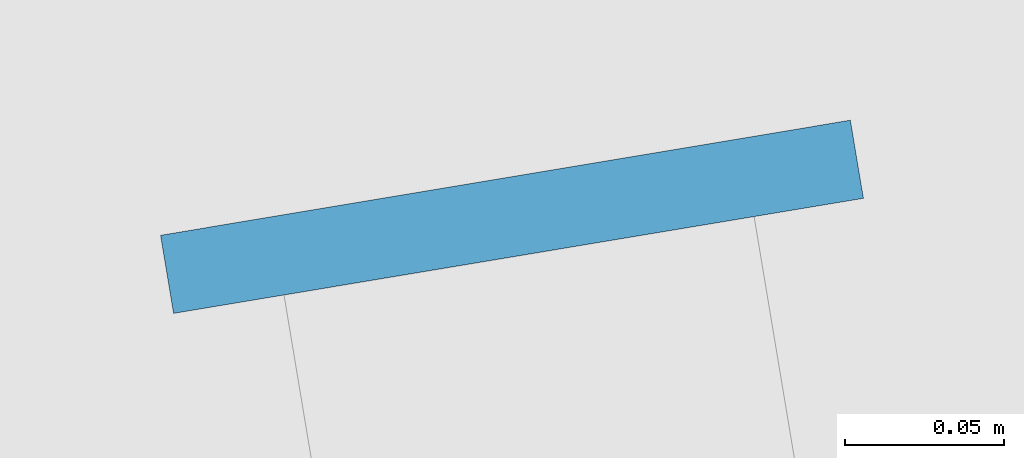
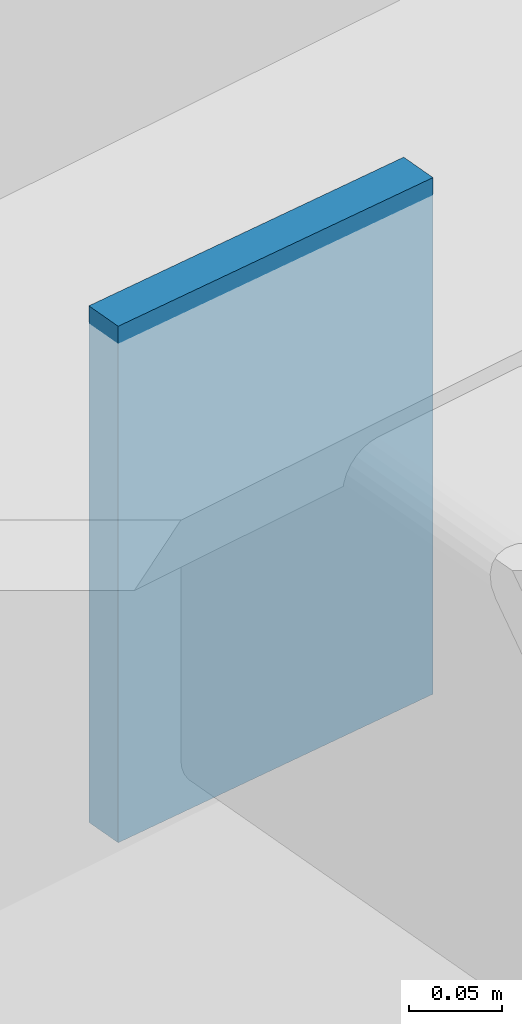
# One storey, part 7 of 15: 1 plate.
"""IFC4 building model written with IfcOpenShell, lengths in metres."""

import ifcopenshell
import ifcopenshell.guid

model = None  # the IFC model being written
_history = None  # IfcOwnerHistory: only IFC2X3 demands one
_inside = {}  # id of a spatial element -> (the spatial element, [elements in it])
_under = {}  # id of a project, library or spatial element -> (it, [spatial elements below it])
_declared = {}  # id of a project -> (the project, [libraries it declares])
_typed = {}  # id of a type object -> (the type object, [elements of that type])
_made_of = {}  # id of a material, layer set ... -> (it, [elements and type objects made of it])


def new_model(schema):
    """Start an empty IFC model of exactly this schema.

    Asked for "IFC4X3", IfcOpenShell would pick the latest addendum, in which some entities
    have other attributes; the version numbers below select the first issue.
    IFC2X3 requires an IfcOwnerHistory on every rooted entity: one is made here for all.
    """
    global model, _history
    if schema == "IFC4X3":
        model = ifcopenshell.file(schema_version=(4, 3, 0, 0))
    else:
        model = ifcopenshell.file(schema=schema)
    _inside.clear()
    _under.clear()
    _declared.clear()
    _typed.clear()
    _made_of.clear()
    _history = None
    if model.schema == "IFC2X3":
        org = make("IfcOrganization", Name="unknown")
        user = make(
            "IfcPersonAndOrganization",
            ThePerson=make("IfcPerson", FamilyName="unknown"),
            TheOrganization=org,
        )
        app = make(
            "IfcApplication",
            ApplicationDeveloper=org,
            Version="unknown",
            ApplicationFullName="unknown",
            ApplicationIdentifier="unknown",
        )
        _history = make(
            "IfcOwnerHistory",
            OwningUser=user,
            OwningApplication=app,
            ChangeAction="ADDED",
            CreationDate=0,
        )
    return model


def make(cls, **values):
    """One entity of the class cls with the attributes given. An attribute that is None is left unset."""
    return model.create_entity(
        cls, **{name: value for name, value in values.items() if value is not None}
    )


def rooted(cls, **values):
    """An entity with a GlobalId (a new one), such as an element, a storey or a relation."""
    return make(cls, GlobalId=ifcopenshell.guid.new(), OwnerHistory=_history, **values)


def si_unit(unit_type, name, prefix=None):
    """IfcSIUnit, for example si_unit("LENGTHUNIT", "METRE", prefix="MILLI")."""
    return make("IfcSIUnit", UnitType=unit_type, Prefix=prefix, Name=name)


def assignment(units):
    """IfcUnitAssignment: the units of a project."""
    return None if units is None else make("IfcUnitAssignment", Units=units)


def point(xyz):
    """IfcCartesianPoint."""
    return None if xyz is None else make("IfcCartesianPoint", Coordinates=xyz)


def direction(xyz):
    """IfcDirection."""
    return None if xyz is None else make("IfcDirection", DirectionRatios=xyz)


def frame(location, z_axis=None, x_axis=None):
    """IfcAxis2Placement3D, a coordinate frame: its origin and axes. An axis left out is left unset."""
    return make(
        "IfcAxis2Placement3D",
        Location=point(location),
        Axis=direction(z_axis),
        RefDirection=direction(x_axis),
    )


def frame_2d(location, x_axis=None):
    """IfcAxis2Placement2D, a coordinate frame in the plane: its origin and x axis."""
    return make(
        "IfcAxis2Placement2D", Location=point(location), RefDirection=direction(x_axis)
    )


def origin():
    """The frame at (0, 0, 0) with its axes left unset."""
    return frame((0.0, 0.0, 0.0))


def origin_2d():
    """The frame at (0, 0) in the plane with its x axis left unset."""
    return frame_2d((0.0, 0.0))


def place(relative_to, where):
    """IfcLocalPlacement: puts the frame where relative to a parent placement (None: the world)."""
    return make(
        "IfcLocalPlacement", PlacementRelTo=relative_to, RelativePlacement=where
    )


def context(
    kind, dimensions, precision=None, world=None, true_north=None, identifier=None
):
    """IfcGeometricRepresentationContext, for example the 3D "Model" context."""
    return make(
        "IfcGeometricRepresentationContext",
        ContextIdentifier=identifier,
        ContextType=kind,
        CoordinateSpaceDimension=dimensions,
        Precision=precision,
        WorldCoordinateSystem=world,
        TrueNorth=true_north,
    )


def subcontext(parent, identifier, kind, view, scale=None):
    """IfcGeometricRepresentationSubContext, for example "Body" below "Model"."""
    return make(
        "IfcGeometricRepresentationSubContext",
        ContextIdentifier=identifier,
        ContextType=kind,
        ParentContext=parent,
        TargetScale=scale,
        TargetView=view,
    )


def project(units=None, contexts=None):
    """IfcProject with its units and contexts."""
    return rooted(
        "IfcProject",
        Name="project",
        RepresentationContexts=contexts,
        UnitsInContext=assignment(units),
    )


def spatial(cls, under=None, at=None, **own):
    """A site, building, storey or space (cls), placed at a placement, below another one or the project."""
    s = rooted(cls, ObjectPlacement=at, **own)
    if under is not None:
        _under.setdefault(under.id(), (under, []))[1].append(s)
    return s


def profile(cls, at=None, kind="AREA", **sizes):
    """A parametric profile (cls). Its sizes go by their IFC names, for example OverallWidth=200.0."""
    return make(cls, ProfileType=kind, Position=at, **sizes)


def rectangle(**sizes):
    """IfcRectangleProfileDef."""
    return profile("IfcRectangleProfileDef", **sizes)


def extrude(swept, where, along, depth):
    """IfcExtrudedAreaSolid: the profile swept, set in the frame where, extruded along a direction by depth."""
    return make(
        "IfcExtrudedAreaSolid",
        SweptArea=swept,
        Position=where,
        ExtrudedDirection=direction(along),
        Depth=depth,
    )


def shape(context_of_items, identifier, shape_type, items):
    """IfcShapeRepresentation: the items that make up one representation, for example the "Body"."""
    return make(
        "IfcShapeRepresentation",
        ContextOfItems=context_of_items,
        RepresentationIdentifier=identifier,
        RepresentationType=shape_type,
        Items=items,
    )


def material(Name=None, Category=None):
    """IfcMaterial."""
    return make("IfcMaterial", Name=Name, Category=Category)


def layer(
    of_material, thickness, ventilated=None, Name=None, Category=None, Priority=None
):
    """IfcMaterialLayer: one layer of a wall or slab, of a material (None: an air gap)."""
    return make(
        "IfcMaterialLayer",
        Material=of_material,
        LayerThickness=thickness,
        IsVentilated=ventilated,
        Name=Name,
        Category=Category,
        Priority=Priority,
    )


def layer_set(layers, Name=None):
    """IfcMaterialLayerSet."""
    return make("IfcMaterialLayerSet", MaterialLayers=layers, LayerSetName=Name)


def made_of(thing, what):
    """Note that an element or type object is made of a material, layer set ...; save() writes the relation."""
    if what is not None:
        _made_of.setdefault(what.id(), (what, []))[1].append(thing)
    return thing


def type_object(cls, material=None, **own):
    """A type object (cls), such as IfcWallType, which elements share."""
    return made_of(rooted(cls, **own), material)


def element(
    cls,
    number,
    at=None,
    inside=None,
    cuts=None,
    type_object=None,
    material=None,
    context=None,
    identifier="Body",
    shape_type=None,
    held_by="IfcProductDefinitionShape",
    body=None,
    shapes=None,
    **own,
):
    """One element of the class cls, such as IfcWall. Its Tag is "e" and its number.

    at: its placement. inside: the storey or other place that contains it. cuts: it is an
    opening in that element (IfcRelVoidsElement). A single representation is given by context,
    identifier, shape_type and body (its items); several are given by shapes. held_by: the class
    of the entity that holds the representations. save() writes the other relations.
    """
    e = rooted(cls, Tag="e%d" % number, ObjectPlacement=at, **own)
    if body is not None:
        shapes = [shape(context, identifier, shape_type, body)]
    if shapes is not None:
        e.Representation = make(held_by, Representations=shapes)
    if inside is not None:
        _inside.setdefault(inside.id(), (inside, []))[1].append(e)
    if cuts is not None:
        rooted(
            "IfcRelVoidsElement", RelatingBuildingElement=cuts, RelatedOpeningElement=e
        )
    if type_object is not None:
        _typed.setdefault(type_object.id(), (type_object, []))[1].append(e)
    return made_of(e, material)


def aggregate(whole, parts):
    """IfcRelAggregates: a whole, such as a stair, and the parts it consists of."""
    return rooted("IfcRelAggregates", RelatingObject=whole, RelatedObjects=parts)


def save(model, path):
    """Write the relations noted so far, then the file.

    IfcRelAggregates (storeys below a building ...), IfcRelContainedInSpatialStructure (elements
    in a storey), IfcRelDefinesByType, IfcRelAssociatesMaterial and IfcRelDeclares: one each for
    every whole, place, type object, material and project.
    """
    for whole, parts in _under.values():
        aggregate(whole, parts)
    for where, things in _inside.values():
        rooted(
            "IfcRelContainedInSpatialStructure",
            RelatedElements=things,
            RelatingStructure=where,
        )
    for kind, things in _typed.values():
        rooted("IfcRelDefinesByType", RelatedObjects=things, RelatingType=kind)
    for what, things in _made_of.values():
        rooted("IfcRelAssociatesMaterial", RelatedObjects=things, RelatingMaterial=what)
    for by, libraries in _declared.values():
        rooted("IfcRelDeclares", RelatingContext=by, RelatedDefinitions=libraries)
    model.write(path)


model = new_model("IFC4")

# Units and contexts
model_context = context("Model", 3, precision=1e-05, world=origin(), true_north=direction((0.0, 1.0)))
body_context = subcontext(model_context, "Body", "Model", "MODEL_VIEW")
ifc_project = project(units=[si_unit("LENGTHUNIT", "METRE"), si_unit("AREAUNIT", "SQUARE_METRE"), si_unit("VOLUMEUNIT", "CUBIC_METRE"), si_unit("PLANEANGLEUNIT", "RADIAN"), si_unit("MASSUNIT", "GRAM", prefix="KILO")], contexts=[model_context])

# Site, building, storey
site_placement = place(None, origin())
site = spatial("IfcSite", under=ifc_project, at=site_placement, CompositionType="ELEMENT")
building_placement = place(site_placement, origin())
building = spatial("IfcBuilding", under=site, at=building_placement, Name="Valkerne Bourse Tower", CompositionType="ELEMENT")
storey_placement = place(building_placement, frame((0.0, 0.0, 201.800048828125)))
storey = spatial("IfcBuildingStorey", under=building, at=storey_placement, Name="L51", CompositionType="ELEMENT", Elevation=201.800048828125)

# Plate
ifc_material = material(Name="Steel ASTM A572 Grade 50", Category="steel")
ifc_layer = layer(ifc_material, 0.02490234375)
ifc_layer_set = layer_set([ifc_layer], Name="Steel ASTM A572 Grade 50")
plate_type = type_object("IfcPlateType", Name="PLT-CAP-300", PredefinedType="SHEET", material=ifc_layer_set)
plate_placement = place(storey_placement, frame((60.6328125, 27.9091796875, 3.27001953125), z_axis=(0.0, 0.0, 1.0), x_axis=(-0.164531165327, 0.98637188506, 0.0)))
element("IfcPlate", 1, at=plate_placement, inside=storey, type_object=plate_type, Name="L51 HSS300x150 Purlin End Cap Plate PLT-CAP300-L51-004", PredefinedType="SHEET", context=body_context, shape_type="SweptSolid", body=[
    extrude(rectangle(XDim=0.02490234375, YDim=0.219970703125, at=origin_2d()), origin(), (0.0, 0.0, 1.0), 0.340087890625),
])

save(model, "model.ifc")
